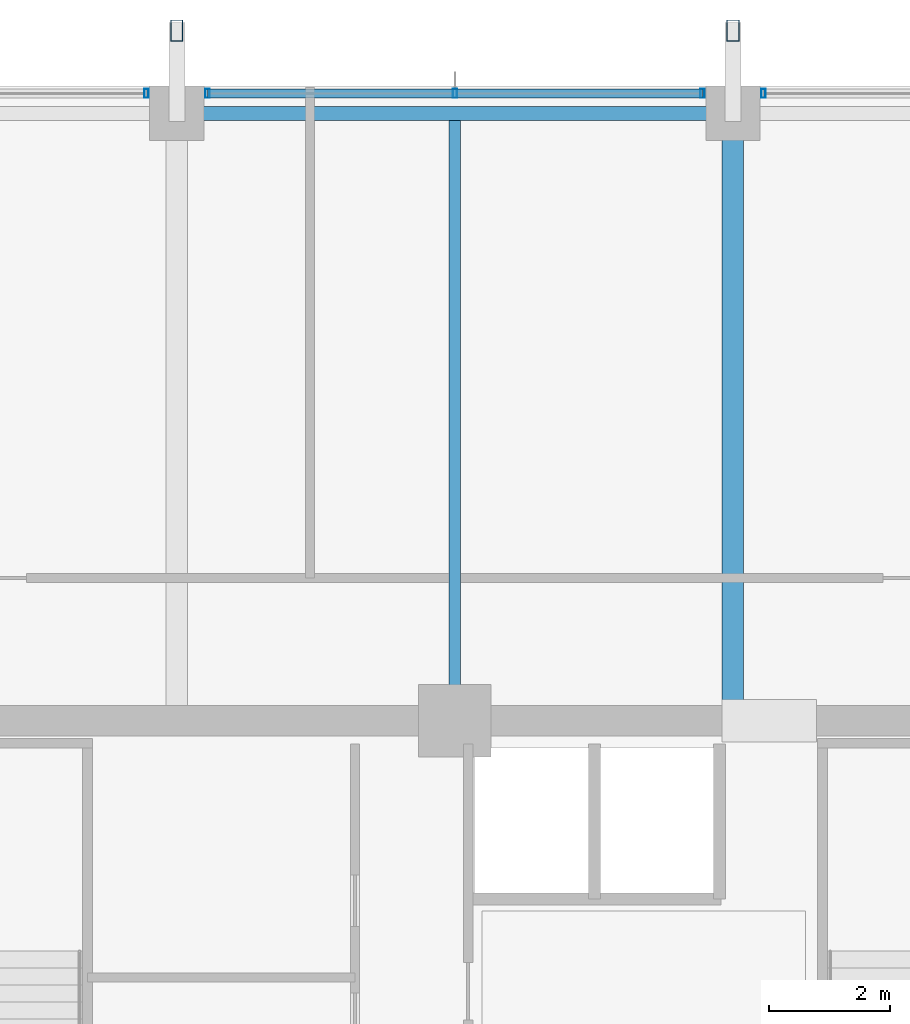
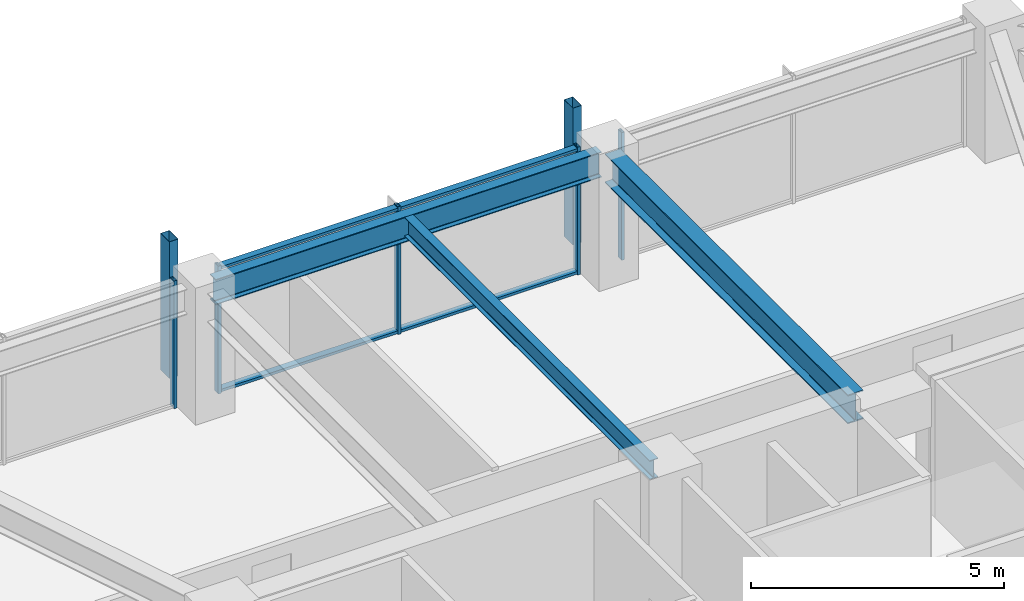
# One storey, part 19 of 35: 9 members, 3 beams, 3 elements without a shape of their own.
"""IFC4 building model written with IfcOpenShell, lengths in metres."""

import ifcopenshell
import ifcopenshell.guid

model = None  # the IFC model being written
_history = None  # IfcOwnerHistory: only IFC2X3 demands one
_inside = {}  # id of a spatial element -> (the spatial element, [elements in it])
_under = {}  # id of a project, library or spatial element -> (it, [spatial elements below it])
_declared = {}  # id of a project -> (the project, [libraries it declares])
_typed = {}  # id of a type object -> (the type object, [elements of that type])
_made_of = {}  # id of a material, layer set ... -> (it, [elements and type objects made of it])


def new_model(schema):
    """Start an empty IFC model of exactly this schema.

    Asked for "IFC4X3", IfcOpenShell would pick the latest addendum, in which some entities
    have other attributes; the version numbers below select the first issue.
    IFC2X3 requires an IfcOwnerHistory on every rooted entity: one is made here for all.
    """
    global model, _history
    if schema == "IFC4X3":
        model = ifcopenshell.file(schema_version=(4, 3, 0, 0))
    else:
        model = ifcopenshell.file(schema=schema)
    _inside.clear()
    _under.clear()
    _declared.clear()
    _typed.clear()
    _made_of.clear()
    _history = None
    if model.schema == "IFC2X3":
        org = make("IfcOrganization", Name="unknown")
        user = make(
            "IfcPersonAndOrganization",
            ThePerson=make("IfcPerson", FamilyName="unknown"),
            TheOrganization=org,
        )
        app = make(
            "IfcApplication",
            ApplicationDeveloper=org,
            Version="unknown",
            ApplicationFullName="unknown",
            ApplicationIdentifier="unknown",
        )
        _history = make(
            "IfcOwnerHistory",
            OwningUser=user,
            OwningApplication=app,
            ChangeAction="ADDED",
            CreationDate=0,
        )
    return model


def make(cls, **values):
    """One entity of the class cls with the attributes given. An attribute that is None is left unset."""
    return model.create_entity(
        cls, **{name: value for name, value in values.items() if value is not None}
    )


def rooted(cls, **values):
    """An entity with a GlobalId (a new one), such as an element, a storey or a relation."""
    return make(cls, GlobalId=ifcopenshell.guid.new(), OwnerHistory=_history, **values)


def si_unit(unit_type, name, prefix=None):
    """IfcSIUnit, for example si_unit("LENGTHUNIT", "METRE", prefix="MILLI")."""
    return make("IfcSIUnit", UnitType=unit_type, Prefix=prefix, Name=name)


def assignment(units):
    """IfcUnitAssignment: the units of a project."""
    return None if units is None else make("IfcUnitAssignment", Units=units)


def point(xyz):
    """IfcCartesianPoint."""
    return None if xyz is None else make("IfcCartesianPoint", Coordinates=xyz)


def direction(xyz):
    """IfcDirection."""
    return None if xyz is None else make("IfcDirection", DirectionRatios=xyz)


def frame(location, z_axis=None, x_axis=None):
    """IfcAxis2Placement3D, a coordinate frame: its origin and axes. An axis left out is left unset."""
    return make(
        "IfcAxis2Placement3D",
        Location=point(location),
        Axis=direction(z_axis),
        RefDirection=direction(x_axis),
    )


def frame_2d(location, x_axis=None):
    """IfcAxis2Placement2D, a coordinate frame in the plane: its origin and x axis."""
    return make(
        "IfcAxis2Placement2D", Location=point(location), RefDirection=direction(x_axis)
    )


def origin():
    """The frame at (0, 0, 0) with its axes left unset."""
    return frame((0.0, 0.0, 0.0))


def origin_2d():
    """The frame at (0, 0) in the plane with its x axis left unset."""
    return frame_2d((0.0, 0.0))


def place(relative_to, where):
    """IfcLocalPlacement: puts the frame where relative to a parent placement (None: the world)."""
    return make(
        "IfcLocalPlacement", PlacementRelTo=relative_to, RelativePlacement=where
    )


def context(
    kind, dimensions, precision=None, world=None, true_north=None, identifier=None
):
    """IfcGeometricRepresentationContext, for example the 3D "Model" context."""
    return make(
        "IfcGeometricRepresentationContext",
        ContextIdentifier=identifier,
        ContextType=kind,
        CoordinateSpaceDimension=dimensions,
        Precision=precision,
        WorldCoordinateSystem=world,
        TrueNorth=true_north,
    )


def subcontext(parent, identifier, kind, view, scale=None):
    """IfcGeometricRepresentationSubContext, for example "Body" below "Model"."""
    return make(
        "IfcGeometricRepresentationSubContext",
        ContextIdentifier=identifier,
        ContextType=kind,
        ParentContext=parent,
        TargetScale=scale,
        TargetView=view,
    )


def project(units=None, contexts=None):
    """IfcProject with its units and contexts."""
    return rooted(
        "IfcProject",
        Name="project",
        RepresentationContexts=contexts,
        UnitsInContext=assignment(units),
    )


def spatial(cls, under=None, at=None, **own):
    """A site, building, storey or space (cls), placed at a placement, below another one or the project."""
    s = rooted(cls, ObjectPlacement=at, **own)
    if under is not None:
        _under.setdefault(under.id(), (under, []))[1].append(s)
    return s


def profile(cls, at=None, kind="AREA", **sizes):
    """A parametric profile (cls). Its sizes go by their IFC names, for example OverallWidth=200.0."""
    return make(cls, ProfileType=kind, Position=at, **sizes)


def hollow_rectangle(**sizes):
    """IfcRectangleHollowProfileDef."""
    return profile("IfcRectangleHollowProfileDef", **sizes)


def i_section(**sizes):
    """IfcIShapeProfileDef."""
    return profile("IfcIShapeProfileDef", **sizes)


def extrude(swept, where, along, depth):
    """IfcExtrudedAreaSolid: the profile swept, set in the frame where, extruded along a direction by depth."""
    return make(
        "IfcExtrudedAreaSolid",
        SweptArea=swept,
        Position=where,
        ExtrudedDirection=direction(along),
        Depth=depth,
    )


def shape(context_of_items, identifier, shape_type, items):
    """IfcShapeRepresentation: the items that make up one representation, for example the "Body"."""
    return make(
        "IfcShapeRepresentation",
        ContextOfItems=context_of_items,
        RepresentationIdentifier=identifier,
        RepresentationType=shape_type,
        Items=items,
    )


def material(Name=None, Category=None):
    """IfcMaterial."""
    return make("IfcMaterial", Name=Name, Category=Category)


def material_profile(
    of_material, cross_section, Name=None, Category=None, Priority=None
):
    """IfcMaterialProfile: a cross section and its material."""
    return make(
        "IfcMaterialProfile",
        Name=Name,
        Material=of_material,
        Profile=cross_section,
        Priority=Priority,
        Category=Category,
    )


def profile_set(profiles, Name=None, composite=None):
    """IfcMaterialProfileSet."""
    return make(
        "IfcMaterialProfileSet",
        Name=Name,
        MaterialProfiles=profiles,
        CompositeProfile=composite,
    )


def made_of(thing, what):
    """Note that an element or type object is made of a material, layer set ...; save() writes the relation."""
    if what is not None:
        _made_of.setdefault(what.id(), (what, []))[1].append(thing)
    return thing


def type_object(cls, material=None, **own):
    """A type object (cls), such as IfcWallType, which elements share."""
    return made_of(rooted(cls, **own), material)


def element(
    cls,
    number,
    at=None,
    inside=None,
    cuts=None,
    type_object=None,
    material=None,
    context=None,
    identifier="Body",
    shape_type=None,
    held_by="IfcProductDefinitionShape",
    body=None,
    shapes=None,
    **own,
):
    """One element of the class cls, such as IfcWall. Its Tag is "e" and its number.

    at: its placement. inside: the storey or other place that contains it. cuts: it is an
    opening in that element (IfcRelVoidsElement). A single representation is given by context,
    identifier, shape_type and body (its items); several are given by shapes. held_by: the class
    of the entity that holds the representations. save() writes the other relations.
    """
    e = rooted(cls, Tag="e%d" % number, ObjectPlacement=at, **own)
    if body is not None:
        shapes = [shape(context, identifier, shape_type, body)]
    if shapes is not None:
        e.Representation = make(held_by, Representations=shapes)
    if inside is not None:
        _inside.setdefault(inside.id(), (inside, []))[1].append(e)
    if cuts is not None:
        rooted(
            "IfcRelVoidsElement", RelatingBuildingElement=cuts, RelatedOpeningElement=e
        )
    if type_object is not None:
        _typed.setdefault(type_object.id(), (type_object, []))[1].append(e)
    return made_of(e, material)


def aggregate(whole, parts):
    """IfcRelAggregates: a whole, such as a stair, and the parts it consists of."""
    return rooted("IfcRelAggregates", RelatingObject=whole, RelatedObjects=parts)


def save(model, path):
    """Write the relations noted so far, then the file.

    IfcRelAggregates (storeys below a building ...), IfcRelContainedInSpatialStructure (elements
    in a storey), IfcRelDefinesByType, IfcRelAssociatesMaterial and IfcRelDeclares: one each for
    every whole, place, type object, material and project.
    """
    for whole, parts in _under.values():
        aggregate(whole, parts)
    for where, things in _inside.values():
        rooted(
            "IfcRelContainedInSpatialStructure",
            RelatedElements=things,
            RelatingStructure=where,
        )
    for kind, things in _typed.values():
        rooted("IfcRelDefinesByType", RelatedObjects=things, RelatingType=kind)
    for what, things in _made_of.values():
        rooted("IfcRelAssociatesMaterial", RelatedObjects=things, RelatingMaterial=what)
    for by, libraries in _declared.values():
        rooted("IfcRelDeclares", RelatingContext=by, RelatedDefinitions=libraries)
    model.write(path)


model = new_model("IFC4")

# Units and contexts
model_context = context("Model", 3, precision=1e-05, world=origin(), true_north=direction((0.0, 1.0)))
body_context = subcontext(model_context, "Body", "Model", "MODEL_VIEW")
ifc_project = project(units=[si_unit("LENGTHUNIT", "METRE"), si_unit("AREAUNIT", "SQUARE_METRE"), si_unit("VOLUMEUNIT", "CUBIC_METRE"), si_unit("PLANEANGLEUNIT", "RADIAN"), si_unit("MASSUNIT", "GRAM", prefix="KILO")], contexts=[model_context])

# Site, building, storey
site_placement = place(None, origin())
site = spatial("IfcSite", under=ifc_project, at=site_placement, CompositionType="ELEMENT")
building_placement = place(site_placement, origin())
building = spatial("IfcBuilding", under=site, at=building_placement, Name="Kolvaren Belvedere", CompositionType="ELEMENT")
storey_placement = place(building_placement, frame((0.0, 0.0, 183.300048828125)))
storey = spatial("IfcBuildingStorey", under=building, at=storey_placement, Name="L53", CompositionType="ELEMENT", Elevation=183.300048828125)

# Beams
ifc_material_1 = material(Name="Structural steel ASTM A992 Grade 50", Category="steel")
ifc_material_profile_1 = material_profile(ifc_material_1, i_section(OverallWidth=0.35498046875, OverallDepth=0.696044921875, WebThickness=0.015380859375, FlangeThickness=0.02490234375, FilletRadius=0.02197265625, at=origin_2d()), Name="W27X146")
ifc_profile_set_1 = profile_set([ifc_material_profile_1], Name="Structural steel ASTM A992 Grade 50")
beam_type_1 = type_object("IfcBeamType", Name="BM-GIRD-W27X146", PredefinedType="BEAM", material=ifc_profile_set_1)
beam_1_placement = place(storey_placement, frame((4.60009765625, 10.14990234375, 2.73193359375), z_axis=(0.0, 1.0, 0.0), x_axis=(-1.0, 0.0, 0.0)))
element("IfcBeam", 1, at=beam_1_placement, inside=storey, type_object=beam_type_1, Name="L53 North Radial Girder P", PredefinedType="BEAM", context=body_context, shape_type="SweptSolid", body=[
    extrude(i_section(OverallWidth=0.35498046875, OverallDepth=0.696044921875, WebThickness=0.015380859375, FlangeThickness=0.02490234375, FilletRadius=0.02197265625, at=origin_2d()), origin(), (0.0, 0.0, 1.0), 9.59765625),
])
ifc_material_2 = material(Name="Structural steel ASTM A992 Grade 50", Category="steel")
ifc_material_profile_2 = material_profile(ifc_material_2, i_section(OverallWidth=0.19091796875, OverallDepth=0.4599609375, WebThickness=0.010009765625, FlangeThickness=0.01611328125, FilletRadius=0.014892578125, at=origin_2d()), Name="W18X55")
ifc_profile_set_2 = profile_set([ifc_material_profile_2], Name="Structural steel ASTM A992 Grade 50")
beam_type_2 = type_object("IfcBeamType", Name="BM-JOIST-W18X55", PredefinedType="BEAM", material=ifc_profile_set_2)
beam_2_placement = place(storey_placement, frame((0.0, 10.14990234375, 2.849853515625), z_axis=(0.0, 1.0, 0.0), x_axis=(-1.0, 0.0, 0.0)))
element("IfcBeam", 2, at=beam_2_placement, inside=storey, type_object=beam_type_2, Name="L53 North Centre Floor Beam", PredefinedType="BEAM", context=body_context, shape_type="SweptSolid", body=[
    extrude(i_section(OverallWidth=0.19091796875, OverallDepth=0.4599609375, WebThickness=0.010009765625, FlangeThickness=0.01611328125, FilletRadius=0.014892578125, at=origin_2d()), origin(), (0.0, 0.0, 1.0), 9.685546875),
])
ifc_material_3 = material(Name="Structural steel ASTM A992 Grade 50", Category="steel")
ifc_material_profile_3 = material_profile(ifc_material_3, i_section(OverallWidth=0.22900390625, OverallDepth=0.612060546875, WebThickness=0.011962890625, FlangeThickness=0.01953125, FilletRadius=0.01806640625, at=origin_2d()), Name="W24X84")
ifc_profile_set_3 = profile_set([ifc_material_profile_3], Name="Structural steel ASTM A992 Grade 50")
beam_type_3 = type_object("IfcBeamType", Name="BM-SPAN-W24X84", PredefinedType="SPANDREL", material=ifc_profile_set_3)
beam_3_placement = place(storey_placement, frame((4.3974609375, 19.949951171875, 2.77392578125), z_axis=(-1.0, 0.0, 0.0), x_axis=(0.0, -1.0, 0.0)))
element("IfcBeam", 3, at=beam_3_placement, inside=storey, type_object=beam_type_3, Name="L53 Perimeter Spandrel N3-N2", PredefinedType="SPANDREL", context=body_context, shape_type="SweptSolid", body=[
    extrude(i_section(OverallWidth=0.22900390625, OverallDepth=0.612060546875, WebThickness=0.011962890625, FlangeThickness=0.01953125, FilletRadius=0.01806640625, at=origin_2d()), origin(), (0.0, 0.0, 1.0), 8.794921875),
])

# Curtain wall, member
ifc_material_4 = material(Name="Anodised pale-metal aluminium AA 6063-T6", Category="aluminium")
curtain_wall_type = type_object("IfcCurtainWallType", Name="CW-Z5-HIGH", PredefinedType="NOTDEFINED", material=ifc_material_4)
curtain_wall_1_placement = place(storey_placement, origin())
curtain_wall_1 = element("IfcCurtainWall", 4, at=curtain_wall_1_placement, inside=storey, type_object=curtain_wall_type, Name="L53 Unitised Curtain Wall FCW-L53-N-B1", PredefinedType="NOTDEFINED")
ifc_material_5 = material(Name="Anodised pale-metal aluminium AA 6063-T6", Category="aluminium")
ifc_material_profile_4 = material_profile(ifc_material_5, hollow_rectangle(XDim=0.070068359375, YDim=0.14990234375, WallThickness=0.004150390625, at=origin_2d()), Name="ALU-MUL-150X70")
ifc_profile_set_4 = profile_set([ifc_material_profile_4], Name="Anodised pale-metal aluminium AA 6063-T6")
member_type_1 = type_object("IfcMemberType", Name="CW-MUL-150", PredefinedType="MULLION", material=ifc_profile_set_4)
member_1_placement = place(storey_placement, frame((-5.10498046875, 20.280029296875, 0.0), z_axis=(0.0, 0.0, 1.0), x_axis=(1.0, 0.0, 0.0)))
member_1 = element("IfcMember", 5, at=member_1_placement, type_object=member_type_1, Name="FCW-L53-N-B1 Unitised Mullion 3", PredefinedType="MULLION", context=body_context, shape_type="SweptSolid", body=[
    extrude(hollow_rectangle(XDim=0.070068359375, YDim=0.14990234375, WallThickness=0.004150390625, at=origin_2d()), origin(), (0.0, 0.0, 1.0), 3.079833984375),
])
aggregate(curtain_wall_1, [member_1])

# Curtain wall, members
curtain_wall_2_placement = place(storey_placement, origin())
curtain_wall_2 = element("IfcCurtainWall", 6, at=curtain_wall_2_placement, inside=storey, type_object=curtain_wall_type, Name="L53 Unitised Curtain Wall FCW-L53-N-B2", PredefinedType="NOTDEFINED")
member_2_placement = place(storey_placement, frame((-4.094970703125, 20.280029296875, 0.0), z_axis=(0.0, 0.0, 1.0), x_axis=(1.0, 0.0, 0.0)))
member_2 = element("IfcMember", 7, at=member_2_placement, type_object=member_type_1, Name="FCW-L53-N-B2 Unitised Mullion 1", PredefinedType="MULLION", context=body_context, shape_type="SweptSolid", body=[
    extrude(hollow_rectangle(XDim=0.070068359375, YDim=0.14990234375, WallThickness=0.004150390625, at=origin_2d()), origin(), (0.0, 0.0, 1.0), 3.079833984375),
])
member_3_placement = place(storey_placement, frame((0.0, 20.280029296875, 0.0), z_axis=(0.0, 0.0, 1.0), x_axis=(1.0, 0.0, 0.0)))
member_3 = element("IfcMember", 8, at=member_3_placement, type_object=member_type_1, Name="FCW-L53-N-B2 Unitised Mullion 2", PredefinedType="MULLION", context=body_context, shape_type="SweptSolid", body=[
    extrude(hollow_rectangle(XDim=0.070068359375, YDim=0.14990234375, WallThickness=0.004150390625, at=origin_2d()), origin(), (0.0, 0.0, 1.0), 3.079833984375),
])
member_4_placement = place(storey_placement, frame((4.094970703125, 20.280029296875, 0.0), z_axis=(0.0, 0.0, 1.0), x_axis=(1.0, 0.0, 0.0)))
member_4 = element("IfcMember", 9, at=member_4_placement, type_object=member_type_1, Name="FCW-L53-N-B2 Unitised Mullion 3", PredefinedType="MULLION", context=body_context, shape_type="SweptSolid", body=[
    extrude(hollow_rectangle(XDim=0.070068359375, YDim=0.14990234375, WallThickness=0.004150390625, at=origin_2d()), origin(), (0.0, 0.0, 1.0), 3.079833984375),
])

# Curtain wall, member
curtain_wall_3_placement = place(storey_placement, origin())
curtain_wall_3 = element("IfcCurtainWall", 10, at=curtain_wall_3_placement, inside=storey, type_object=curtain_wall_type, Name="L53 Unitised Curtain Wall FCW-L53-N-B3", PredefinedType="NOTDEFINED")
member_5_placement = place(storey_placement, frame((5.10498046875, 20.280029296875, 0.0), z_axis=(0.0, 0.0, 1.0), x_axis=(1.0, 0.0, 0.0)))
member_5 = element("IfcMember", 11, at=member_5_placement, type_object=member_type_1, Name="FCW-L53-N-B3 Unitised Mullion 1", PredefinedType="MULLION", context=body_context, shape_type="SweptSolid", body=[
    extrude(hollow_rectangle(XDim=0.070068359375, YDim=0.14990234375, WallThickness=0.004150390625, at=origin_2d()), origin(), (0.0, 0.0, 1.0), 3.079833984375),
])
aggregate(curtain_wall_3, [member_5])

# Member
ifc_material_6 = material(Name="Anodised pale-metal aluminium AA 6063-T6", Category="aluminium")
ifc_material_profile_5 = material_profile(ifc_material_6, hollow_rectangle(XDim=0.06494140625, YDim=0.14990234375, WallThickness=0.00390625, at=origin_2d()), Name="ALU-TRN-150X65")
ifc_profile_set_5 = profile_set([ifc_material_profile_5], Name="Anodised pale-metal aluminium AA 6063-T6")
member_type_2 = type_object("IfcMemberType", Name="CW-TRN-150", PredefinedType="USERDEFINED", material=ifc_profile_set_5)
member_6_placement = place(storey_placement, frame((-4.094970703125, 20.280029296875, 0.06005859375), z_axis=(1.0, 0.0, 0.0), x_axis=(0.0, 0.0, 1.0)))
member_6 = element("IfcMember", 12, at=member_6_placement, type_object=member_type_2, Name="FCW-L53-N-B2 Sill Transom", ObjectType="TRANSOM", PredefinedType="USERDEFINED", context=body_context, shape_type="SweptSolid", body=[
    extrude(hollow_rectangle(XDim=0.06494140625, YDim=0.14990234375, WallThickness=0.00390625, at=origin_2d()), origin(), (0.0, 0.0, 1.0), 8.18994140625),
])

member_7_placement = place(storey_placement, frame((-4.094970703125, 20.280029296875, 3.02001953125), z_axis=(1.0, 0.0, 0.0), x_axis=(0.0, 0.0, 1.0)))
member_7 = element("IfcMember", 13, at=member_7_placement, type_object=member_type_2, Name="FCW-L53-N-B2 Head Transom", ObjectType="TRANSOM", PredefinedType="USERDEFINED", context=body_context, shape_type="SweptSolid", body=[
    extrude(hollow_rectangle(XDim=0.06494140625, YDim=0.14990234375, WallThickness=0.00390625, at=origin_2d()), origin(), (0.0, 0.0, 1.0), 8.18994140625),
])

aggregate(curtain_wall_2, [member_2, member_3, member_4, member_6, member_7])

# Members
ifc_material_7 = material(Name="Anodised pale-metal aluminium AA 6063-T6", Category="aluminium")
ifc_material_profile_6 = material_profile(ifc_material_7, hollow_rectangle(XDim=0.199951171875, YDim=0.35009765625, WallThickness=0.007568359375, at=origin_2d()), Name="ALU-PF-350X200")
ifc_profile_set_6 = profile_set([ifc_material_profile_6], Name="Anodised pale-metal aluminium AA 6063-T6")
member_type_3 = type_object("IfcMemberType", Name="PF-FRAME-350", PredefinedType="USERDEFINED", material=ifc_profile_set_6)
for number, where, z_axis, x_axis, name in (
    (14, (-4.60009765625, 21.320068359375, 0.0), (0.0, 0.0, 1.0), (1.0, 0.0, 0.0), "L53 Outboard Picture-Frame Vertical N1"),
    (15, (4.60009765625, 21.320068359375, 0.0), (0.0, 0.0, 1.0), (1.0, 0.0, 0.0), "L53 Outboard Picture-Frame Vertical N2"),
):
    element("IfcMember", number, at=place(storey_placement, frame(where, z_axis=z_axis, x_axis=x_axis)), inside=storey, type_object=member_type_3, Name=name, ObjectType="PICTURE FRAME FIN", PredefinedType="USERDEFINED", context=body_context, shape_type="SweptSolid", body=[
        extrude(hollow_rectangle(XDim=0.199951171875, YDim=0.35009765625, WallThickness=0.007568359375, at=origin_2d()), origin(), (0.0, 0.0, 1.0), 3.300048828125),
    ])

save(model, "model.ifc")
